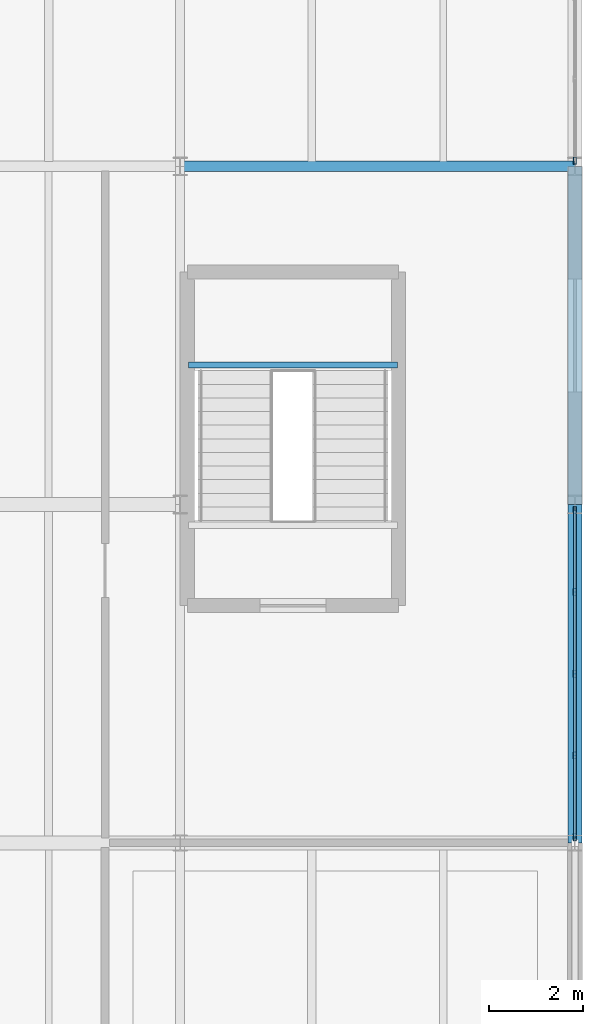
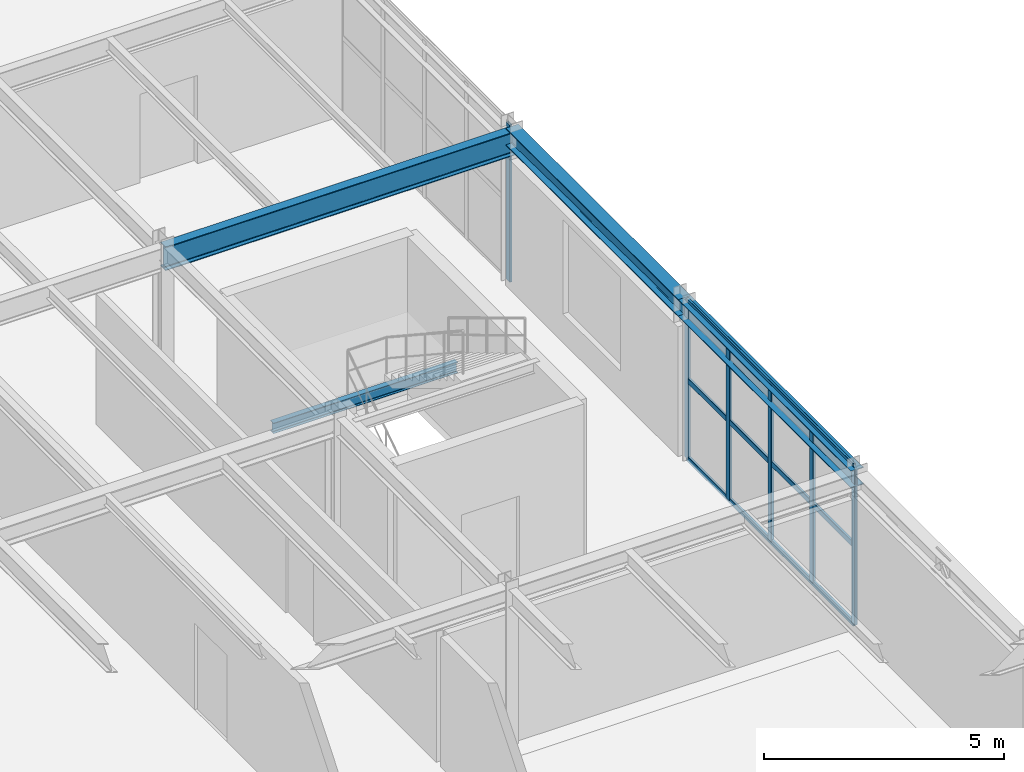
# One storey, part 48 of 73: 9 members, 4 beams, 2 elements without a shape of their own.
"""IFC4 building model written with IfcOpenShell, lengths in metres."""

from ifc_helpers import new_model, si_unit, derived_unit, direction, frame, origin, origin_2d, place, context, subcontext, project, spatial, hollow_rectangle, i_section, extrude, material, material_profile, profile_set, type_object, element, aggregate, save


model = new_model("IFC4")

# Units and contexts
model_context = context("Model", 3, precision=1e-05, world=origin(), true_north=direction((0.0, 1.0)))
body_context = subcontext(model_context, "Body", "Model", "MODEL_VIEW")
ifc_project = project(units=[si_unit("LENGTHUNIT", "METRE"), si_unit("AREAUNIT", "SQUARE_METRE"), si_unit("VOLUMEUNIT", "CUBIC_METRE"), si_unit("PLANEANGLEUNIT", "RADIAN"), si_unit("MASSUNIT", "GRAM", prefix="KILO"), derived_unit("THERMALTRANSMITTANCEUNIT", [(si_unit("MASSUNIT", "GRAM", prefix="KILO"), 1), (si_unit("TIMEUNIT", "SECOND"), -3), (si_unit("THERMODYNAMICTEMPERATUREUNIT", "KELVIN"), -1)])], contexts=[model_context])

# Site, building, storey
site_placement = place(None, origin())
site = spatial("IfcSite", under=ifc_project, at=site_placement, CompositionType="ELEMENT")
building_placement = place(site_placement, origin())
building = spatial("IfcBuilding", under=site, at=building_placement, Name="Kharveza Railside Sports Centre", CompositionType="ELEMENT")
storey_placement = place(building_placement, frame((0.0, 0.0, 8.699951171875)))
storey = spatial("IfcBuildingStorey", under=building, at=storey_placement, Name="L02", CompositionType="ELEMENT", Elevation=8.699951171875)

# Beams
ifc_material_1 = material(Name="Steel S355J2", Category="steel")
ifc_material_profile_1 = material_profile(ifc_material_1, i_section(OverallWidth=0.219970703125, OverallDepth=0.60009765625, WebThickness=0.011962890625, FlangeThickness=0.01904296875, FilletRadius=0.02392578125, at=origin_2d()), Name="IPE 600")
ifc_profile_set_1 = profile_set([ifc_material_profile_1], Name="Steel S355J2")
beam_type_1 = type_object("IfcBeamType", Name="BM-G01", PredefinedType="T_BEAM", material=ifc_profile_set_1)
beam_1_placement = place(storey_placement, frame((159.60009765625, 86.39990234375, 3.6201171875), z_axis=(1.0, 0.0, 0.0), x_axis=(0.0, 1.0, 0.0)))
element("IfcBeam", 1, at=beam_1_placement, inside=storey, type_object=beam_type_1, Name="BM-EW-L02-B01-X1596-Y864", PredefinedType="T_BEAM", context=body_context, shape_type="SweptSolid", body=[
    extrude(i_section(OverallWidth=0.219970703125, OverallDepth=0.60009765625, WebThickness=0.011962890625, FlangeThickness=0.01904296875, FilletRadius=0.02392578125, at=origin_2d()), origin(), (0.0, 0.0, 1.0), 8.39990234375),
])
ifc_material_profile_2 = material_profile(ifc_material_1, i_section(OverallWidth=0.135009765625, OverallDepth=0.27001953125, WebThickness=0.006591796875, FlangeThickness=0.01025390625, FilletRadius=0.014892578125, at=origin_2d()), Name="IPE 270")
ifc_profile_set_2 = profile_set([ifc_material_profile_2], Name="Steel S355J2")
beam_type_2 = type_object("IfcBeamType", Name="BM-S05", PredefinedType="BEAM", material=ifc_profile_set_2)
beam_2_placement = place(storey_placement, frame((159.780029296875, 82.169921875, 1.780029296875), z_axis=(1.0, 0.0, 0.0), x_axis=(0.0, 1.0, 0.0)))
element("IfcBeam", 2, at=beam_2_placement, inside=storey, type_object=beam_type_2, Name="BM-HLND-ST4-L02", PredefinedType="BEAM", context=body_context, shape_type="SweptSolid", body=[
    extrude(i_section(OverallWidth=0.135009765625, OverallDepth=0.27001953125, WebThickness=0.006591796875, FlangeThickness=0.01025390625, FilletRadius=0.014892578125, at=origin_2d()), origin(), (0.0, 0.0, 1.0), 4.43994140625),
])
ifc_material_profile_3 = material_profile(ifc_material_1, i_section(OverallWidth=0.300048828125, OverallDepth=0.43994140625, WebThickness=0.011474609375, FlangeThickness=0.02099609375, FilletRadius=0.027099609375, at=origin_2d()), Name="HEA 450")
ifc_profile_set_3 = profile_set([ifc_material_profile_3], Name="Steel S355J2")
beam_type_3 = type_object("IfcBeamType", Name="BM-SP01", PredefinedType="SPANDREL", material=ifc_profile_set_3)
for number, where, z_axis, x_axis, name in (
    (3, (168.0, 72.0, 3.780029296875), (0.0, 1.0, 0.0), (-1.0, 0.0, 0.0), "BM-NS-L02-B15-X1680-Y720"),
    (4, (168.0, 79.199951171875, 3.780029296875), (0.0, 1.0, 0.0), (-1.0, 0.0, 0.0), "BM-NS-L02-B15-X1680-Y792"),
):
    element("IfcBeam", number, at=place(storey_placement, frame(where, z_axis=z_axis, x_axis=x_axis)), inside=storey, type_object=beam_type_3, Name=name, PredefinedType="SPANDREL", context=body_context, shape_type="SweptSolid", body=[
        extrude(i_section(OverallWidth=0.300048828125, OverallDepth=0.43994140625, WebThickness=0.011474609375, FlangeThickness=0.02099609375, FilletRadius=0.027099609375, at=origin_2d()), origin(), (0.0, 0.0, 1.0), 7.199951171875),
    ])

# Curtain wall, members
ifc_material_2 = material(Name="Low-E solar-control laminated glass", Category="glass")
curtain_wall_type = type_object("IfcCurtainWallType", Name="CW-WG02", PredefinedType="NOTDEFINED", material=ifc_material_2)
curtain_wall_1_placement = place(storey_placement, origin())
curtain_wall_1 = element("IfcCurtainWall", 5, at=curtain_wall_1_placement, inside=storey, type_object=curtain_wall_type, Name="CW-WG-L02-CW-WG02-X1680-Y756", PredefinedType="NOTDEFINED")
ifc_material_3 = material(Name="Anodised aluminium 6063-T6", Category="aluminium")
ifc_material_profile_4 = material_profile(ifc_material_3, hollow_rectangle(XDim=0.06494140625, YDim=0.14990234375, WallThickness=0.0048828125, InnerFilletRadius=0.0048828125, OuterFilletRadius=0.010009765625, at=origin_2d()), Name="RHS 65x150x5.0")
ifc_profile_set_4 = profile_set([ifc_material_profile_4], Name="Anodised aluminium 6063-T6")
member_type_1 = type_object("IfcMemberType", Name="CW-ML04", PredefinedType="MULLION", material=ifc_profile_set_4)
member_1_placement = place(storey_placement, frame((168.0, 72.1201171875, 0.0), z_axis=(0.0, 0.0, 1.0), x_axis=(1.0, 0.0, 0.0)))
member_1 = element("IfcMember", 6, at=member_1_placement, type_object=member_type_1, Name="CW-WG-L02-CW-WG02-X1680-Y756-ML1", PredefinedType="MULLION", context=body_context, shape_type="SweptSolid", body=[
    extrude(hollow_rectangle(XDim=0.06494140625, YDim=0.14990234375, WallThickness=0.0048828125, InnerFilletRadius=0.0048828125, OuterFilletRadius=0.010009765625, at=origin_2d()), origin(), (0.0, 0.0, 1.0), 4.0),
])
member_2_placement = place(storey_placement, frame((168.0, 73.860107421875, 0.0), z_axis=(0.0, 0.0, 1.0), x_axis=(1.0, 0.0, 0.0)))
member_2 = element("IfcMember", 7, at=member_2_placement, type_object=member_type_1, Name="CW-WG-L02-CW-WG02-X1680-Y756-ML2", PredefinedType="MULLION", context=body_context, shape_type="SweptSolid", body=[
    extrude(hollow_rectangle(XDim=0.06494140625, YDim=0.14990234375, WallThickness=0.0048828125, InnerFilletRadius=0.0048828125, OuterFilletRadius=0.010009765625, at=origin_2d()), origin(), (0.0, 0.0, 1.0), 4.0),
])
member_3_placement = place(storey_placement, frame((168.0, 75.60009765625, 0.0), z_axis=(0.0, 0.0, 1.0), x_axis=(1.0, 0.0, 0.0)))
member_3 = element("IfcMember", 8, at=member_3_placement, type_object=member_type_1, Name="CW-WG-L02-CW-WG02-X1680-Y756-ML3", PredefinedType="MULLION", context=body_context, shape_type="SweptSolid", body=[
    extrude(hollow_rectangle(XDim=0.06494140625, YDim=0.14990234375, WallThickness=0.0048828125, InnerFilletRadius=0.0048828125, OuterFilletRadius=0.010009765625, at=origin_2d()), origin(), (0.0, 0.0, 1.0), 4.0),
])
member_4_placement = place(storey_placement, frame((168.0, 77.340087890625, 0.0), z_axis=(0.0, 0.0, 1.0), x_axis=(1.0, 0.0, 0.0)))
member_4 = element("IfcMember", 9, at=member_4_placement, type_object=member_type_1, Name="CW-WG-L02-CW-WG02-X1680-Y756-ML4", PredefinedType="MULLION", context=body_context, shape_type="SweptSolid", body=[
    extrude(hollow_rectangle(XDim=0.06494140625, YDim=0.14990234375, WallThickness=0.0048828125, InnerFilletRadius=0.0048828125, OuterFilletRadius=0.010009765625, at=origin_2d()), origin(), (0.0, 0.0, 1.0), 4.0),
])
member_5_placement = place(storey_placement, frame((168.0, 79.080078125, 0.0), z_axis=(0.0, 0.0, 1.0), x_axis=(1.0, 0.0, 0.0)))
member_5 = element("IfcMember", 10, at=member_5_placement, type_object=member_type_1, Name="CW-WG-L02-CW-WG02-X1680-Y756-ML5", PredefinedType="MULLION", context=body_context, shape_type="SweptSolid", body=[
    extrude(hollow_rectangle(XDim=0.06494140625, YDim=0.14990234375, WallThickness=0.0048828125, InnerFilletRadius=0.0048828125, OuterFilletRadius=0.010009765625, at=origin_2d()), origin(), (0.0, 0.0, 1.0), 4.0),
])

# Curtain wall, member
curtain_wall_2_placement = place(storey_placement, origin())
curtain_wall_2 = element("IfcCurtainWall", 11, at=curtain_wall_2_placement, inside=storey, type_object=curtain_wall_type, Name="CW-WG-L02-CW-WG02-X1680-Y900", PredefinedType="NOTDEFINED")
member_6_placement = place(storey_placement, frame((168.0, 86.52001953125, 0.0), z_axis=(0.0, 0.0, 1.0), x_axis=(1.0, 0.0, 0.0)))
member_6 = element("IfcMember", 12, at=member_6_placement, type_object=member_type_1, Name="CW-WG-L02-CW-WG02-X1680-Y900-ML1", PredefinedType="MULLION", context=body_context, shape_type="SweptSolid", body=[
    extrude(hollow_rectangle(XDim=0.06494140625, YDim=0.14990234375, WallThickness=0.0048828125, InnerFilletRadius=0.0048828125, OuterFilletRadius=0.010009765625, at=origin_2d()), origin(), (0.0, 0.0, 1.0), 4.0),
])
aggregate(curtain_wall_2, [member_6])

# Member
ifc_material_profile_5 = material_profile(ifc_material_3, hollow_rectangle(XDim=0.06005859375, YDim=0.139892578125, WallThickness=0.0048828125, InnerFilletRadius=0.0048828125, OuterFilletRadius=0.010009765625, at=origin_2d()), Name="RHS 60x140x5.0")
ifc_profile_set_5 = profile_set([ifc_material_profile_5], Name="Anodised aluminium 6063-T6")
member_type_2 = type_object("IfcMemberType", Name="CW-TR04", PredefinedType="USERDEFINED", material=ifc_profile_set_5)
member_7_placement = place(storey_placement, frame((168.0, 72.1201171875, 0.0), z_axis=(0.0, 1.0, 0.0), x_axis=(-1.0, 0.0, 0.0)))
member_7 = element("IfcMember", 13, at=member_7_placement, type_object=member_type_2, Name="CW-WG-L02-CW-WG02-X1680-Y756-TR1", ObjectType="TRANSOM", PredefinedType="USERDEFINED", context=body_context, shape_type="SweptSolid", body=[
    extrude(hollow_rectangle(XDim=0.06005859375, YDim=0.139892578125, WallThickness=0.0048828125, InnerFilletRadius=0.0048828125, OuterFilletRadius=0.010009765625, at=origin_2d()), origin(), (0.0, 0.0, 1.0), 6.9599609375),
])

member_8_placement = place(storey_placement, frame((168.0, 72.1201171875, 2.0), z_axis=(0.0, 1.0, 0.0), x_axis=(-1.0, 0.0, 0.0)))
member_8 = element("IfcMember", 14, at=member_8_placement, type_object=member_type_2, Name="CW-WG-L02-CW-WG02-X1680-Y756-TR2", ObjectType="TRANSOM", PredefinedType="USERDEFINED", context=body_context, shape_type="SweptSolid", body=[
    extrude(hollow_rectangle(XDim=0.06005859375, YDim=0.139892578125, WallThickness=0.0048828125, InnerFilletRadius=0.0048828125, OuterFilletRadius=0.010009765625, at=origin_2d()), origin(), (0.0, 0.0, 1.0), 6.9599609375),
])

member_9_placement = place(storey_placement, frame((168.0, 72.1201171875, 4.0), z_axis=(0.0, 1.0, 0.0), x_axis=(-1.0, 0.0, 0.0)))
member_9 = element("IfcMember", 15, at=member_9_placement, type_object=member_type_2, Name="CW-WG-L02-CW-WG02-X1680-Y756-TR3", ObjectType="TRANSOM", PredefinedType="USERDEFINED", context=body_context, shape_type="SweptSolid", body=[
    extrude(hollow_rectangle(XDim=0.06005859375, YDim=0.139892578125, WallThickness=0.0048828125, InnerFilletRadius=0.0048828125, OuterFilletRadius=0.010009765625, at=origin_2d()), origin(), (0.0, 0.0, 1.0), 6.9599609375),
])

aggregate(curtain_wall_1, [member_1, member_2, member_3, member_4, member_5, member_7, member_8, member_9])

save(model, "model.ifc")
